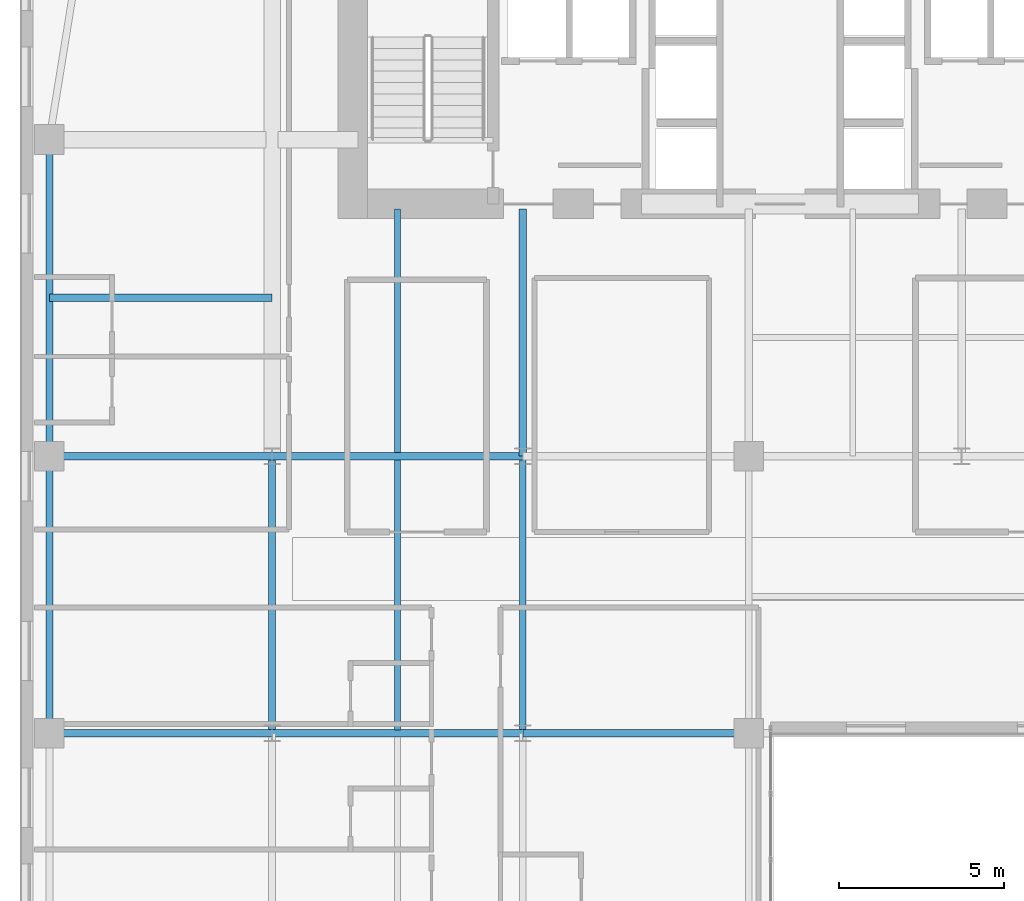
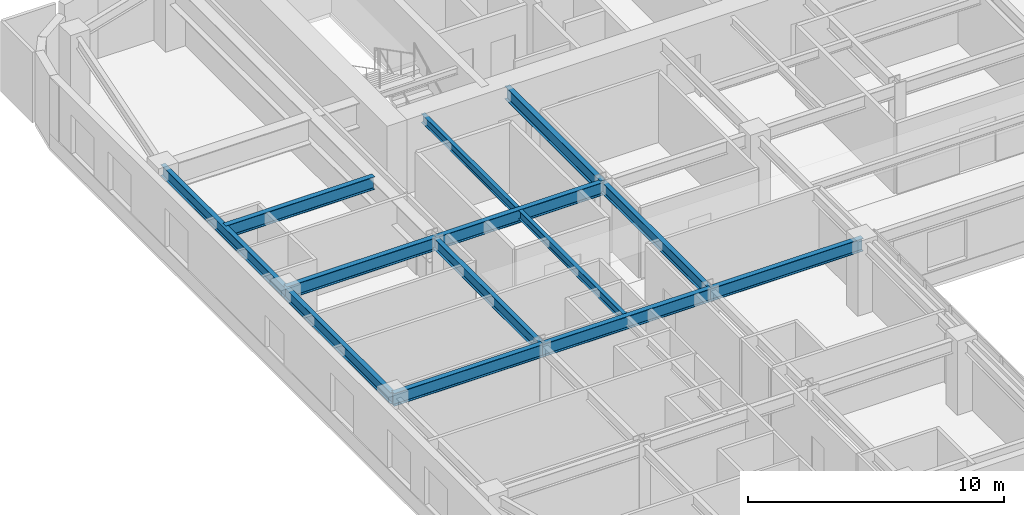
# One storey, part 4 of 24: 13 beams.
"""IFC4 building model written with IfcOpenShell, lengths in metres."""

from ifc_helpers import new_model, si_unit, direction, frame, origin, origin_2d, place, context, subcontext, project, spatial, i_section, extrude, source, transform, mapped, material, material_profile, profile_set, type_object, type_shapes, element, save


model = new_model("IFC4")

# Units and contexts
model_context = context("Model", 3, precision=1e-05, world=origin(), true_north=direction((0.0, 1.0)))
body_context = subcontext(model_context, "Body", "Model", "MODEL_VIEW")
ifc_project = project(units=[si_unit("LENGTHUNIT", "METRE"), si_unit("AREAUNIT", "SQUARE_METRE"), si_unit("VOLUMEUNIT", "CUBIC_METRE"), si_unit("PLANEANGLEUNIT", "RADIAN"), si_unit("MASSUNIT", "GRAM", prefix="KILO")], contexts=[model_context])

# Site, building, storey
site_placement = place(None, origin())
site = spatial("IfcSite", under=ifc_project, at=site_placement, CompositionType="ELEMENT")
building_placement = place(site_placement, origin())
building = spatial("IfcBuilding", under=site, at=building_placement, Name="Tolvann Quenvar Hotel", CompositionType="ELEMENT")
storey_placement = place(building_placement, frame((0.0, 0.0, 81.699951171875)))
storey = spatial("IfcBuildingStorey", under=building, at=storey_placement, Name="L20", CompositionType="ELEMENT", Elevation=81.699951171875)

# Beams
ifc_material = material(Name="Steel Grade 350", Category="steel")
ifc_material_profile_1 = material_profile(ifc_material, i_section(OverallWidth=0.22900390625, OverallDepth=0.612060546875, WebThickness=0.011962890625, FlangeThickness=0.01953125, FilletRadius=0.013916015625, at=origin_2d()), Name="610UB125")
ifc_profile_set_1 = profile_set([ifc_material_profile_1], Name="Steel Grade 350")
beam_type_1 = type_object("IfcBeamType", Name="BM_GIRD_610UB125", PredefinedType="BEAM", material=ifc_profile_set_1)
shared_shape_1 = source(origin(), body_context, "Body", "SweptSolid", [
    extrude(i_section(OverallWidth=0.22900390625, OverallDepth=0.612060546875, WebThickness=0.011962890625, FlangeThickness=0.01953125, FilletRadius=0.013916015625, at=origin_2d()), origin(), (0.0, 0.0, 1.0), 6.75),
])
for number, where, z_axis, x_axis, name in (
    (1, (0.85009765625, 16.0, 3.06396484375), (1.0, 0.0, 0.0), (0.0, 1.0, 0.0), "BM-L20-EW-4-B4-C4"),
    (2, (0.85009765625, 24.39990234375, 3.06396484375), (1.0, 0.0, 0.0), (0.0, 1.0, 0.0), "BM-L20-EW-5-B5-C5"),
    (3, (0.85009765625, 29.199951171875, 3.06396484375), (1.0, 0.0, 0.0), (0.0, 1.0, 0.0), "BM-L20-EW-BC29"),
):
    element("IfcBeam", number, at=place(storey_placement, frame(where, z_axis=z_axis, x_axis=x_axis)), inside=storey, type_object=beam_type_1, Name=name, PredefinedType="BEAM", context=body_context, shape_type="MappedRepresentation", body=[
        mapped(shared_shape_1, transform((0.0, 0.0, 0.0), x_axis=(1.0, 0.0, 0.0), y_axis=(0.0, 1.0, 0.0), z_axis=(0.0, 0.0, 1.0), scale=1.0)),
    ])
shared_shape_2 = source(origin(), body_context, "Body", "SweptSolid", [
    extrude(i_section(OverallWidth=0.22900390625, OverallDepth=0.612060546875, WebThickness=0.011962890625, FlangeThickness=0.01953125, FilletRadius=0.013916015625, at=origin_2d()), origin(), (0.0, 0.0, 1.0), 7.599853515625),
])
for number, where, z_axis, x_axis, name in (
    (4, (7.60009765625, 16.0, 3.06396484375), (1.0, 0.0, 0.0), (0.0, 1.0, 0.0), "BM-L20-EW-4-C4-D4"),
    (5, (7.60009765625, 24.39990234375, 3.06396484375), (1.0, 0.0, 0.0), (0.0, 1.0, 0.0), "BM-L20-EW-5-C5-D5"),
):
    element("IfcBeam", number, at=place(storey_placement, frame(where, z_axis=z_axis, x_axis=x_axis)), inside=storey, type_object=beam_type_1, Name=name, PredefinedType="BEAM", context=body_context, shape_type="MappedRepresentation", body=[
        mapped(shared_shape_2, transform((0.0, 0.0, 0.0), x_axis=(1.0, 0.0, 0.0), y_axis=(0.0, 1.0, 0.0), z_axis=(0.0, 0.0, 1.0), scale=1.0)),
    ])
shared_shape_3 = source(origin(), body_context, "Body", "SweptSolid", [
    extrude(i_section(OverallWidth=0.22900390625, OverallDepth=0.612060546875, WebThickness=0.011962890625, FlangeThickness=0.01953125, FilletRadius=0.013916015625, at=origin_2d()), origin(), (0.0, 0.0, 1.0), 6.85009765625),
])
beam_1_placement = place(storey_placement, frame((15.199951171875, 16.0, 3.06396484375), z_axis=(1.0, 0.0, 0.0), x_axis=(0.0, 1.0, 0.0)))
element("IfcBeam", 6, at=beam_1_placement, inside=storey, type_object=beam_type_1, Name="BM-L20-EW-4-D4-E4", PredefinedType="BEAM", context=body_context, shape_type="MappedRepresentation", body=[
    mapped(shared_shape_3, transform((0.0, 0.0, 0.0), x_axis=(1.0, 0.0, 0.0), y_axis=(0.0, 1.0, 0.0), z_axis=(0.0, 0.0, 1.0), scale=1.0)),
])
ifc_material_profile_2 = material_profile(ifc_material, i_section(OverallWidth=0.208984375, OverallDepth=0.528076171875, WebThickness=0.009521484375, FlangeThickness=0.01318359375, FilletRadius=0.013916015625, at=origin_2d()), Name="530UB82")
ifc_profile_set_2 = profile_set([ifc_material_profile_2], Name="Steel Grade 350")
beam_type_2 = type_object("IfcBeamType", Name="BM_SPAND_530UB82", PredefinedType="SPANDREL", material=ifc_profile_set_2)
shared_shape_4 = source(origin(), body_context, "Body", "SweptSolid", [
    extrude(i_section(OverallWidth=0.208984375, OverallDepth=0.528076171875, WebThickness=0.009521484375, FlangeThickness=0.01318359375, FilletRadius=0.013916015625, at=origin_2d()), origin(), (0.0, 0.0, 1.0), 8.39990234375),
])
beam_2_placement = place(storey_placement, frame((0.85009765625, 16.0, 3.10595703125), z_axis=(0.0, 1.0, 0.0), x_axis=(-1.0, 0.0, 0.0)))
element("IfcBeam", 7, at=beam_2_placement, inside=storey, type_object=beam_type_2, Name="BM-L20-NS-B4-B5", PredefinedType="SPANDREL", context=body_context, shape_type="MappedRepresentation", body=[
    mapped(shared_shape_4, transform((0.0, 0.0, 0.0), x_axis=(1.0, 0.0, 0.0), y_axis=(0.0, 1.0, 0.0), z_axis=(0.0, 0.0, 1.0), scale=1.0)),
])
ifc_material_profile_3 = material_profile(ifc_material, i_section(OverallWidth=0.208984375, OverallDepth=0.532958984375, WebThickness=0.01025390625, FlangeThickness=0.015625, FilletRadius=0.013916015625, at=origin_2d()), Name="530UB92")
ifc_profile_set_3 = profile_set([ifc_material_profile_3], Name="Steel Grade 350")
beam_type_3 = type_object("IfcBeamType", Name="BM_GIRD_530UB92", PredefinedType="BEAM", material=ifc_profile_set_3)
shared_shape_5 = source(origin(), body_context, "Body", "SweptSolid", [
    extrude(i_section(OverallWidth=0.208984375, OverallDepth=0.532958984375, WebThickness=0.01025390625, FlangeThickness=0.015625, FilletRadius=0.013916015625, at=origin_2d()), origin(), (0.0, 0.0, 1.0), 8.39990234375),
])
type_shapes(beam_type_3, [shared_shape_5])
for number, where, z_axis, x_axis, name in (
    (8, (7.60009765625, 16.0, 3.103515625), (0.0, 1.0, 0.0), (-1.0, 0.0, 0.0), "BM-L20-NS-C4-C5"),
    (9, (15.199951171875, 16.0, 3.103515625), (0.0, 1.0, 0.0), (-1.0, 0.0, 0.0), "BM-L20-NS-D4-D5"),
):
    element("IfcBeam", number, at=place(storey_placement, frame(where, z_axis=z_axis, x_axis=x_axis)), inside=storey, type_object=beam_type_3, Name=name, PredefinedType="BEAM", context=body_context, shape_type="MappedRepresentation", body=[
        mapped(shared_shape_5, transform((0.0, 0.0, 0.0), x_axis=(1.0, 0.0, 0.0), y_axis=(0.0, 1.0, 0.0), z_axis=(0.0, 0.0, 1.0), scale=1.0)),
    ])
shared_shape_6 = source(origin(), body_context, "Body", "SweptSolid", [
    extrude(i_section(OverallWidth=0.22900390625, OverallDepth=0.612060546875, WebThickness=0.011962890625, FlangeThickness=0.01953125, FilletRadius=0.013916015625, at=origin_2d()), origin(), (0.0, 0.0, 1.0), 7.5),
])
type_shapes(beam_type_1, [shared_shape_1, shared_shape_2, shared_shape_3, shared_shape_6])
beam_3_placement = place(storey_placement, frame((15.199951171875, 24.39990234375, 3.06396484375), z_axis=(0.0, 1.0, 0.0), x_axis=(-1.0, 0.0, 0.0)))
element("IfcBeam", 10, at=beam_3_placement, inside=storey, type_object=beam_type_1, Name="BM-L20-CORE-D5", PredefinedType="BEAM", context=body_context, shape_type="MappedRepresentation", body=[
    mapped(shared_shape_6, transform((0.0, 0.0, 0.0), x_axis=(1.0, 0.0, 0.0), y_axis=(0.0, 1.0, 0.0), z_axis=(0.0, 0.0, 1.0), scale=1.0)),
])
shared_shape_7 = source(origin(), body_context, "Body", "SweptSolid", [
    extrude(i_section(OverallWidth=0.208984375, OverallDepth=0.528076171875, WebThickness=0.009521484375, FlangeThickness=0.01318359375, FilletRadius=0.013916015625, at=origin_2d()), origin(), (0.0, 0.0, 1.0), 9.60009765625),
])
type_shapes(beam_type_2, [shared_shape_4, shared_shape_7])
beam_4_placement = place(storey_placement, frame((0.85009765625, 24.39990234375, 3.10595703125), z_axis=(0.0, 1.0, 0.0), x_axis=(-1.0, 0.0, 0.0)))
element("IfcBeam", 11, at=beam_4_placement, inside=storey, type_object=beam_type_2, Name="BM-L20-FLK-W1", PredefinedType="SPANDREL", context=body_context, shape_type="MappedRepresentation", body=[
    mapped(shared_shape_7, transform((0.0, 0.0, 0.0), x_axis=(1.0, 0.0, 0.0), y_axis=(0.0, 1.0, 0.0), z_axis=(0.0, 0.0, 1.0), scale=1.0)),
])
ifc_material_profile_4 = material_profile(ifc_material, i_section(OverallWidth=0.177978515625, OverallDepth=0.406005859375, WebThickness=0.0078125, FlangeThickness=0.0126953125, FilletRadius=0.011474609375, at=origin_2d()), Name="410UB60")
ifc_profile_set_4 = profile_set([ifc_material_profile_4], Name="Steel Grade 350")
beam_type_4 = type_object("IfcBeamType", Name="BM_JOIST_410UB60", PredefinedType="JOIST", material=ifc_profile_set_4)
shared_shape_8 = source(origin(), body_context, "Body", "SweptSolid", [
    extrude(i_section(OverallWidth=0.177978515625, OverallDepth=0.406005859375, WebThickness=0.0078125, FlangeThickness=0.0126953125, FilletRadius=0.011474609375, at=origin_2d()), origin(), (0.0, 0.0, 1.0), 8.18310546875),
])
beam_5_placement = place(storey_placement, frame((11.39990234375, 16.1083984375, 3.1669921875), z_axis=(0.0, 1.0, 0.0), x_axis=(-1.0, 0.0, 0.0)))
element("IfcBeam", 12, at=beam_5_placement, inside=storey, type_object=beam_type_4, Name="BJ-L20-114-160", PredefinedType="JOIST", context=body_context, shape_type="MappedRepresentation", body=[
    mapped(shared_shape_8, transform((0.0, 0.0, 0.0), x_axis=(1.0, 0.0, 0.0), y_axis=(0.0, 1.0, 0.0), z_axis=(0.0, 0.0, 1.0), scale=1.0)),
])
shared_shape_9 = source(origin(), body_context, "Body", "SweptSolid", [
    extrude(i_section(OverallWidth=0.177978515625, OverallDepth=0.406005859375, WebThickness=0.0078125, FlangeThickness=0.0126953125, FilletRadius=0.011474609375, at=origin_2d()), origin(), (0.0, 0.0, 1.0), 7.391357421875),
])
type_shapes(beam_type_4, [shared_shape_8, shared_shape_9])
beam_6_placement = place(storey_placement, frame((11.39990234375, 24.508544921875, 3.1669921875), z_axis=(0.0, 1.0, 0.0), x_axis=(-1.0, 0.0, 0.0)))
element("IfcBeam", 13, at=beam_6_placement, inside=storey, type_object=beam_type_4, Name="BJ-L20-114-244", PredefinedType="JOIST", context=body_context, shape_type="MappedRepresentation", body=[
    mapped(shared_shape_9, transform((0.0, 0.0, 0.0), x_axis=(1.0, 0.0, 0.0), y_axis=(0.0, 1.0, 0.0), z_axis=(0.0, 0.0, 1.0), scale=1.0)),
])

save(model, "model.ifc")
